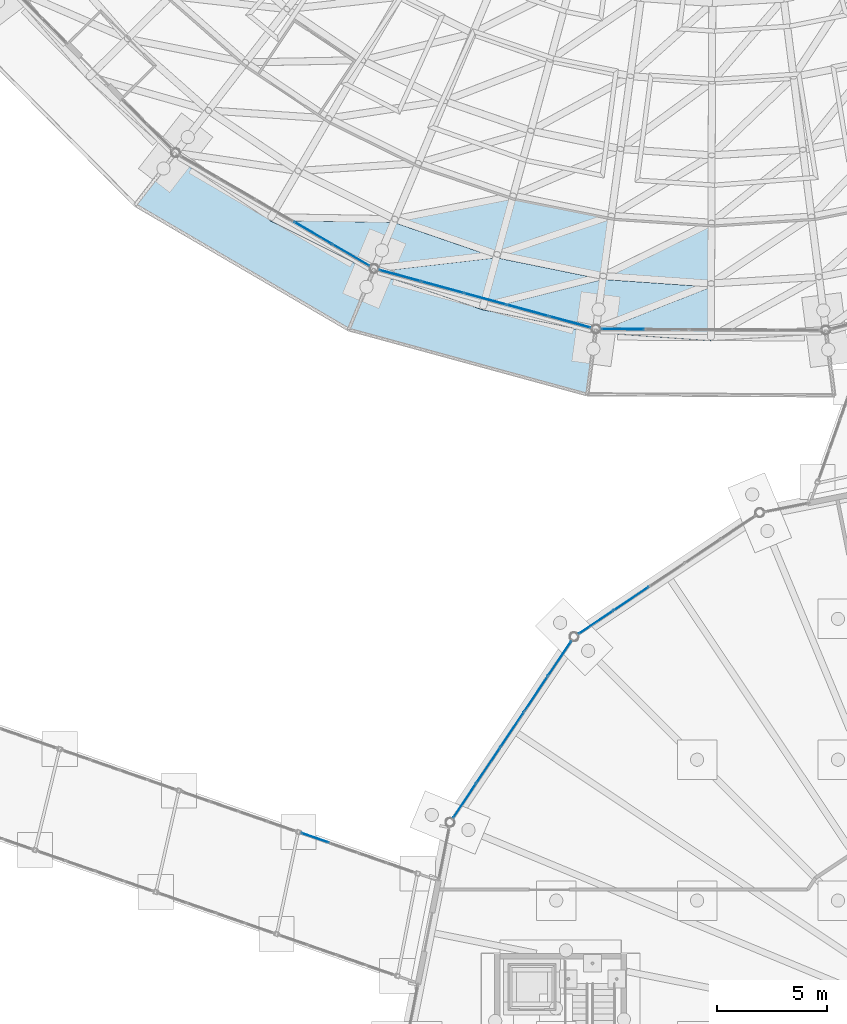
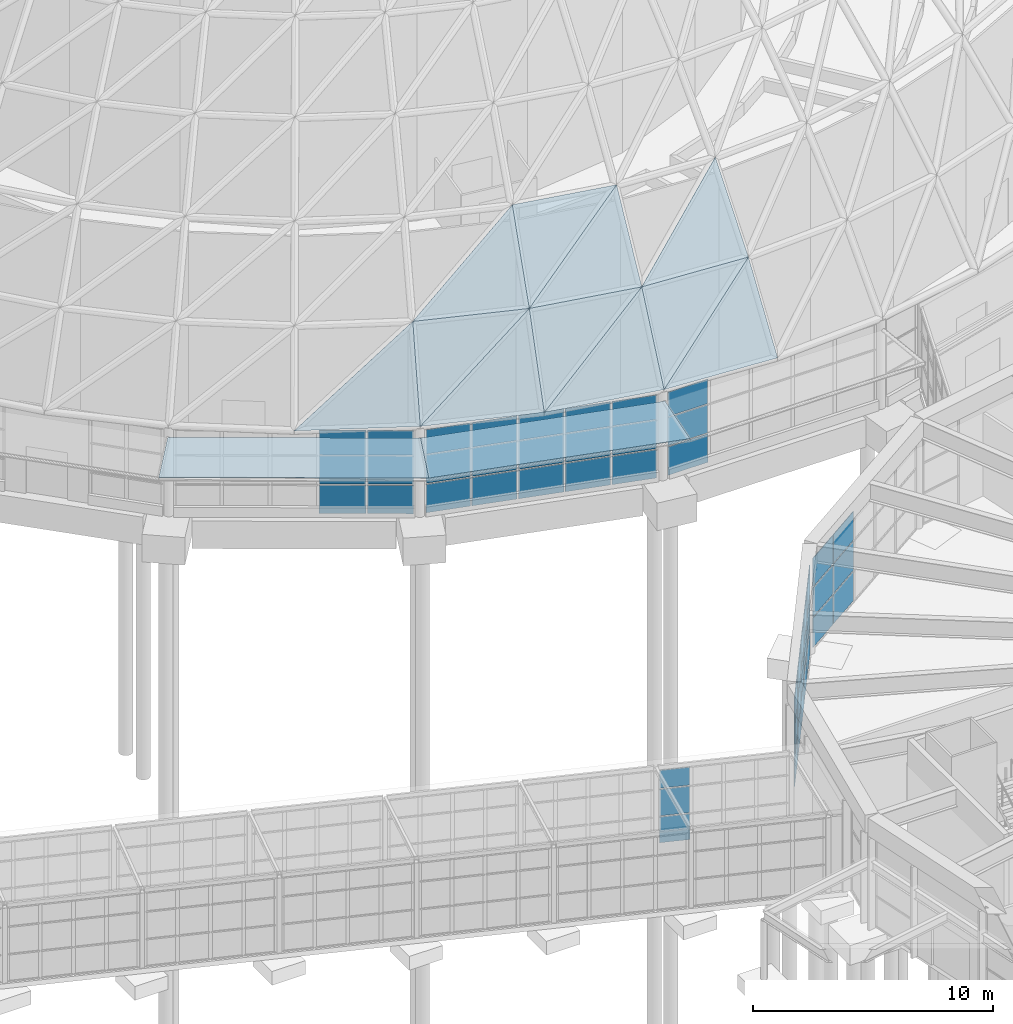
# One storey, part 127 of 226: 61 plates, 6 elements without a shape of their own.
"""IFC4 building model written with IfcOpenShell, lengths in metres."""

from ifc_helpers import new_model, si_unit, direction, frame, origin, origin_2d, place, context, subcontext, project, spatial, polyline, rectangle, outline, extrude, material, layer, layer_set, type_object, element, aggregate, save


model = new_model("IFC4")

# Units and contexts
model_context = context("Model", 3, precision=1e-05, world=origin(), true_north=direction((0.0, 1.0)))
body_context = subcontext(model_context, "Body", "Model", "MODEL_VIEW")
ifc_project = project(units=[si_unit("LENGTHUNIT", "METRE"), si_unit("AREAUNIT", "SQUARE_METRE"), si_unit("VOLUMEUNIT", "CUBIC_METRE"), si_unit("PLANEANGLEUNIT", "RADIAN"), si_unit("MASSUNIT", "GRAM", prefix="KILO")], contexts=[model_context])

# Site, building, storey
site_placement = place(None, origin())
site = spatial("IfcSite", under=ifc_project, at=site_placement, CompositionType="ELEMENT")
building_placement = place(site_placement, origin())
building = spatial("IfcBuilding", under=site, at=building_placement, Name="Ceibo Conservatory and Research Tower", CompositionType="ELEMENT")
storey_placement = place(building_placement, origin())
storey = spatial("IfcBuildingStorey", under=building, at=storey_placement, Name="L00", CompositionType="ELEMENT", Elevation=0.0)

# Plates
ifc_material_1 = material(Name="Laminated glass", Category="glass")
ifc_layer_1 = layer(ifc_material_1, 0.02490234375)
ifc_layer_set_1 = layer_set([ifc_layer_1], Name="Laminated glass")
plate_type_1 = type_object("IfcPlateType", Name="Canopy glass 25", PredefinedType="SHEET", material=ifc_layer_set_1)
plate_1_placement = place(storey_placement, frame((131.358154296875, 76.1748046875, 4.07275390625), z_axis=(0.023071974586, 0.039562540313, -0.998950694175), x_axis=(0.863831158397, -0.503781430565, -5.83234e-07)))
element("IfcPlate", 1, at=plate_1_placement, inside=storey, type_object=plate_type_1, Name="Brim canopy plate A-CP16", PredefinedType="SHEET", context=body_context, shape_type="SweptSolid", body=[
    extrude(outline(polyline([(0.0, 0.0), (10.507447212987021, 0.0), (10.866316717849386, 2.7292034430531147), (-0.3588374432735302, 2.729480202590164), (0.0, 0.0)])), origin(), (0.0, 0.0, 1.0), 0.02490234375),
])
plate_2_placement = place(storey_placement, frame((140.434814453125, 70.88134765625, 4.07275390625), z_axis=(0.012046679541, 0.044187451057, -0.998950622744), x_axis=(0.964790086487, -0.263021080936, 2.86156e-07)))
element("IfcPlate", 2, at=plate_2_placement, inside=storey, type_object=plate_type_1, Name="Brim canopy plate A-CP17", PredefinedType="SHEET", context=body_context, shape_type="SweptSolid", body=[
    extrude(outline(polyline([(0.0, 0.0), (10.507416356783754, 0.0), (10.866318211382298, 2.7293168693180676), (-0.35903950087202957, 2.7291810844894977), (0.0, 0.0)])), origin(), (0.0, 0.0, 1.0), 0.02490234375),
])

# Curtain wall, plates
ifc_material_2 = material(Name="Aluminium and glass", Category="aluminium")
curtain_wall_type_1 = type_object("IfcCurtainWallType", Name="Drum curtain wall", PredefinedType="NOTDEFINED", material=ifc_material_2)
curtain_wall_1_placement = place(storey_placement, origin())
curtain_wall_1 = element("IfcCurtainWall", 3, at=curtain_wall_1_placement, inside=storey, type_object=curtain_wall_type_1, Name="Drum curtain wall A-CW16", PredefinedType="NOTDEFINED")
ifc_layer_2 = layer(ifc_material_1, 0.028076171875)
ifc_layer_set_2 = layer_set([ifc_layer_2], Name="Laminated glass")
plate_type_2 = type_object("IfcPlateType", Name="Drum glass 28", PredefinedType="CURTAIN_PANEL", material=ifc_layer_set_2)
plate_3_placement = place(storey_placement, frame((137.75537109375, 72.73095703125, 0.06005859375), z_axis=(0.0, 0.0, 1.0), x_axis=(0.863835508167, -0.503773971965, 0.0)))
plate_3 = element("IfcPlate", 4, at=plate_3_placement, type_object=plate_type_2, Name="A-CW16 panel 4.1", PredefinedType="CURTAIN_PANEL", context=body_context, shape_type="SweptSolid", body=[
    extrude(rectangle(XDim=1.947021484375, YDim=0.028076171875, at=origin_2d()), origin(), (0.0, 0.0, 1.0), 1.43994140625),
])
plate_4_placement = place(storey_placement, frame((137.75537109375, 72.73095703125, 1.56005859375), z_axis=(0.0, 0.0, 1.0), x_axis=(0.863835508167, -0.503773971965, 0.0)))
plate_4 = element("IfcPlate", 5, at=plate_4_placement, type_object=plate_type_2, Name="A-CW16 panel 4.2", PredefinedType="CURTAIN_PANEL", context=body_context, shape_type="SweptSolid", body=[
    extrude(rectangle(XDim=1.947021484375, YDim=0.028076171875, at=origin_2d()), origin(), (0.0, 0.0, 1.0), 1.425048828125),
])
plate_5_placement = place(storey_placement, frame((137.75537109375, 72.73095703125, 3.044921875), z_axis=(0.0, 0.0, 1.0), x_axis=(0.863835508167, -0.503773971965, 0.0)))
plate_5 = element("IfcPlate", 6, at=plate_5_placement, type_object=plate_type_2, Name="A-CW16 panel 4.3", PredefinedType="CURTAIN_PANEL", context=body_context, shape_type="SweptSolid", body=[
    extrude(rectangle(XDim=1.947021484375, YDim=0.028076171875, at=origin_2d()), origin(), (0.0, 0.0, 1.0), 1.233154296875),
])
plate_6_placement = place(storey_placement, frame((139.47607421875, 71.7275390625, 0.06005859375), z_axis=(0.0, 0.0, 1.0), x_axis=(0.863835508167, -0.503773971965, 0.0)))
plate_6 = element("IfcPlate", 7, at=plate_6_placement, type_object=plate_type_2, Name="A-CW16 panel 5.1", PredefinedType="CURTAIN_PANEL", context=body_context, shape_type="SweptSolid", body=[
    extrude(rectangle(XDim=1.917236328125, YDim=0.028076171875, at=origin_2d()), origin(), (0.0, 0.0, 1.0), 1.43994140625),
])
plate_7_placement = place(storey_placement, frame((139.47607421875, 71.7275390625, 1.56005859375), z_axis=(0.0, 0.0, 1.0), x_axis=(0.863835508167, -0.503773971965, 0.0)))
plate_7 = element("IfcPlate", 8, at=plate_7_placement, type_object=plate_type_2, Name="A-CW16 panel 5.2", PredefinedType="CURTAIN_PANEL", context=body_context, shape_type="SweptSolid", body=[
    extrude(rectangle(XDim=1.917236328125, YDim=0.028076171875, at=origin_2d()), origin(), (0.0, 0.0, 1.0), 1.425048828125),
])
plate_8_placement = place(storey_placement, frame((139.47607421875, 71.7275390625, 3.044921875), z_axis=(0.0, 0.0, 1.0), x_axis=(0.863835508167, -0.503773971965, 0.0)))
plate_8 = element("IfcPlate", 9, at=plate_8_placement, type_object=plate_type_2, Name="A-CW16 panel 5.3", PredefinedType="CURTAIN_PANEL", context=body_context, shape_type="SweptSolid", body=[
    extrude(rectangle(XDim=1.917236328125, YDim=0.028076171875, at=origin_2d()), origin(), (0.0, 0.0, 1.0), 1.233154296875),
])
aggregate(curtain_wall_1, [plate_3, plate_4, plate_5, plate_6, plate_7, plate_8])

curtain_wall_2_placement = place(storey_placement, origin())
curtain_wall_2 = element("IfcCurtainWall", 10, at=curtain_wall_2_placement, inside=storey, type_object=curtain_wall_type_1, Name="Drum curtain wall A-CW17", PredefinedType="NOTDEFINED")
plate_9_placement = place(storey_placement, frame((141.710205078125, 70.79052734375, 0.06005859375), z_axis=(0.0, 0.0, 1.0), x_axis=(0.964787322837, -0.263031218095, 0.0)))
plate_9 = element("IfcPlate", 11, at=plate_9_placement, type_object=plate_type_2, Name="A-CW17 panel 1.1", PredefinedType="CURTAIN_PANEL", context=body_context, shape_type="SweptSolid", body=[
    extrude(rectangle(XDim=1.917236328125, YDim=0.028076171875, at=origin_2d()), origin(), (0.0, 0.0, 1.0), 1.43994140625),
])
plate_10_placement = place(storey_placement, frame((141.710205078125, 70.79052734375, 1.56005859375), z_axis=(0.0, 0.0, 1.0), x_axis=(0.964787322837, -0.263031218095, 0.0)))
plate_10 = element("IfcPlate", 12, at=plate_10_placement, type_object=plate_type_2, Name="A-CW17 panel 1.2", PredefinedType="CURTAIN_PANEL", context=body_context, shape_type="SweptSolid", body=[
    extrude(rectangle(XDim=1.917236328125, YDim=0.028076171875, at=origin_2d()), origin(), (0.0, 0.0, 1.0), 1.425048828125),
])
plate_11_placement = place(storey_placement, frame((141.710205078125, 70.79052734375, 3.044921875), z_axis=(0.0, 0.0, 1.0), x_axis=(0.964787322837, -0.263031218095, 0.0)))
plate_11 = element("IfcPlate", 13, at=plate_11_placement, type_object=plate_type_2, Name="A-CW17 panel 1.3", PredefinedType="CURTAIN_PANEL", context=body_context, shape_type="SweptSolid", body=[
    extrude(rectangle(XDim=1.917236328125, YDim=0.028076171875, at=origin_2d()), origin(), (0.0, 0.0, 1.0), 1.233154296875),
])
plate_12_placement = place(storey_placement, frame((143.63232421875, 70.2666015625, 0.06005859375), z_axis=(0.0, 0.0, 1.0), x_axis=(0.964787322837, -0.263031218095, 0.0)))
plate_12 = element("IfcPlate", 14, at=plate_12_placement, type_object=plate_type_2, Name="A-CW17 panel 2.1", PredefinedType="CURTAIN_PANEL", context=body_context, shape_type="SweptSolid", body=[
    extrude(rectangle(XDim=1.947021484375, YDim=0.028076171875, at=origin_2d()), origin(), (0.0, 0.0, 1.0), 1.43994140625),
])
plate_13_placement = place(storey_placement, frame((143.63232421875, 70.2666015625, 1.56005859375), z_axis=(0.0, 0.0, 1.0), x_axis=(0.964787322837, -0.263031218095, 0.0)))
plate_13 = element("IfcPlate", 15, at=plate_13_placement, type_object=plate_type_2, Name="A-CW17 panel 2.2", PredefinedType="CURTAIN_PANEL", context=body_context, shape_type="SweptSolid", body=[
    extrude(rectangle(XDim=1.947021484375, YDim=0.028076171875, at=origin_2d()), origin(), (0.0, 0.0, 1.0), 1.425048828125),
])
plate_14_placement = place(storey_placement, frame((143.63232421875, 70.2666015625, 3.044921875), z_axis=(0.0, 0.0, 1.0), x_axis=(0.964787322837, -0.263031218095, 0.0)))
plate_14 = element("IfcPlate", 16, at=plate_14_placement, type_object=plate_type_2, Name="A-CW17 panel 2.3", PredefinedType="CURTAIN_PANEL", context=body_context, shape_type="SweptSolid", body=[
    extrude(rectangle(XDim=1.947021484375, YDim=0.028076171875, at=origin_2d()), origin(), (0.0, 0.0, 1.0), 1.233154296875),
])
plate_15_placement = place(storey_placement, frame((145.56884765625, 69.73876953125, 0.06005859375), z_axis=(0.0, 0.0, 1.0), x_axis=(0.964787322837, -0.263031218095, 0.0)))
plate_15 = element("IfcPlate", 17, at=plate_15_placement, type_object=plate_type_2, Name="A-CW17 panel 3.1", PredefinedType="CURTAIN_PANEL", context=body_context, shape_type="SweptSolid", body=[
    extrude(rectangle(XDim=1.947021484375, YDim=0.028076171875, at=origin_2d()), origin(), (0.0, 0.0, 1.0), 1.43994140625),
])
plate_16_placement = place(storey_placement, frame((145.56884765625, 69.73876953125, 1.56005859375), z_axis=(0.0, 0.0, 1.0), x_axis=(0.964787322837, -0.263031218095, 0.0)))
plate_16 = element("IfcPlate", 18, at=plate_16_placement, type_object=plate_type_2, Name="A-CW17 panel 3.2", PredefinedType="CURTAIN_PANEL", context=body_context, shape_type="SweptSolid", body=[
    extrude(rectangle(XDim=1.947021484375, YDim=0.028076171875, at=origin_2d()), origin(), (0.0, 0.0, 1.0), 1.425048828125),
])
plate_17_placement = place(storey_placement, frame((145.56884765625, 69.73876953125, 3.044921875), z_axis=(0.0, 0.0, 1.0), x_axis=(0.964787322837, -0.263031218095, 0.0)))
plate_17 = element("IfcPlate", 19, at=plate_17_placement, type_object=plate_type_2, Name="A-CW17 panel 3.3", PredefinedType="CURTAIN_PANEL", context=body_context, shape_type="SweptSolid", body=[
    extrude(rectangle(XDim=1.947021484375, YDim=0.028076171875, at=origin_2d()), origin(), (0.0, 0.0, 1.0), 1.233154296875),
])
plate_18_placement = place(storey_placement, frame((147.505126953125, 69.210693359375, 0.06005859375), z_axis=(0.0, 0.0, 1.0), x_axis=(0.964787322837, -0.263031218095, 0.0)))
plate_18 = element("IfcPlate", 20, at=plate_18_placement, type_object=plate_type_2, Name="A-CW17 panel 4.1", PredefinedType="CURTAIN_PANEL", context=body_context, shape_type="SweptSolid", body=[
    extrude(rectangle(XDim=1.947021484375, YDim=0.028076171875, at=origin_2d()), origin(), (0.0, 0.0, 1.0), 1.43994140625),
])
plate_19_placement = place(storey_placement, frame((147.505126953125, 69.210693359375, 1.56005859375), z_axis=(0.0, 0.0, 1.0), x_axis=(0.964787322837, -0.263031218095, 0.0)))
plate_19 = element("IfcPlate", 21, at=plate_19_placement, type_object=plate_type_2, Name="A-CW17 panel 4.2", PredefinedType="CURTAIN_PANEL", context=body_context, shape_type="SweptSolid", body=[
    extrude(rectangle(XDim=1.947021484375, YDim=0.028076171875, at=origin_2d()), origin(), (0.0, 0.0, 1.0), 1.425048828125),
])
plate_20_placement = place(storey_placement, frame((147.505126953125, 69.210693359375, 3.044921875), z_axis=(0.0, 0.0, 1.0), x_axis=(0.964787322837, -0.263031218095, 0.0)))
plate_20 = element("IfcPlate", 22, at=plate_20_placement, type_object=plate_type_2, Name="A-CW17 panel 4.3", PredefinedType="CURTAIN_PANEL", context=body_context, shape_type="SweptSolid", body=[
    extrude(rectangle(XDim=1.947021484375, YDim=0.028076171875, at=origin_2d()), origin(), (0.0, 0.0, 1.0), 1.233154296875),
])
plate_21_placement = place(storey_placement, frame((149.42724609375, 68.686767578125, 0.06005859375), z_axis=(0.0, 0.0, 1.0), x_axis=(0.964787322837, -0.263031218095, 0.0)))
plate_21 = element("IfcPlate", 23, at=plate_21_placement, type_object=plate_type_2, Name="A-CW17 panel 5.1", PredefinedType="CURTAIN_PANEL", context=body_context, shape_type="SweptSolid", body=[
    extrude(rectangle(XDim=1.917236328125, YDim=0.028076171875, at=origin_2d()), origin(), (0.0, 0.0, 1.0), 1.43994140625),
])
plate_22_placement = place(storey_placement, frame((149.42724609375, 68.686767578125, 1.56005859375), z_axis=(0.0, 0.0, 1.0), x_axis=(0.964787322837, -0.263031218095, 0.0)))
plate_22 = element("IfcPlate", 24, at=plate_22_placement, type_object=plate_type_2, Name="A-CW17 panel 5.2", PredefinedType="CURTAIN_PANEL", context=body_context, shape_type="SweptSolid", body=[
    extrude(rectangle(XDim=1.917236328125, YDim=0.028076171875, at=origin_2d()), origin(), (0.0, 0.0, 1.0), 1.425048828125),
])
plate_23_placement = place(storey_placement, frame((149.42724609375, 68.686767578125, 3.044921875), z_axis=(0.0, 0.0, 1.0), x_axis=(0.964787322837, -0.263031218095, 0.0)))
plate_23 = element("IfcPlate", 25, at=plate_23_placement, type_object=plate_type_2, Name="A-CW17 panel 5.3", PredefinedType="CURTAIN_PANEL", context=body_context, shape_type="SweptSolid", body=[
    extrude(rectangle(XDim=1.917236328125, YDim=0.028076171875, at=origin_2d()), origin(), (0.0, 0.0, 1.0), 1.233154296875),
])
aggregate(curtain_wall_2, [plate_9, plate_10, plate_11, plate_12, plate_13, plate_14, plate_15, plate_16, plate_17, plate_18, plate_19, plate_20, plate_21, plate_22, plate_23])

curtain_wall_3_placement = place(storey_placement, origin())
curtain_wall_3 = element("IfcCurtainWall", 26, at=curtain_wall_3_placement, inside=storey, type_object=curtain_wall_type_1, Name="Drum curtain wall A-CW18", PredefinedType="NOTDEFINED")
plate_24_placement = place(storey_placement, frame((151.82763671875, 68.360107421875, 0.06005859375), z_axis=(0.0, 0.0, 1.0), x_axis=(0.999990480759, -0.004363300488, 0.0)))
plate_24 = element("IfcPlate", 27, at=plate_24_placement, type_object=plate_type_2, Name="A-CW18 panel 1.1", PredefinedType="CURTAIN_PANEL", context=body_context, shape_type="SweptSolid", body=[
    extrude(rectangle(XDim=1.917236328125, YDim=0.028076171875, at=origin_2d()), origin(), (0.0, 0.0, 1.0), 1.43994140625),
])
plate_25_placement = place(storey_placement, frame((151.82763671875, 68.360107421875, 1.56005859375), z_axis=(0.0, 0.0, 1.0), x_axis=(0.999990480759, -0.004363300488, 0.0)))
plate_25 = element("IfcPlate", 28, at=plate_25_placement, type_object=plate_type_2, Name="A-CW18 panel 1.2", PredefinedType="CURTAIN_PANEL", context=body_context, shape_type="SweptSolid", body=[
    extrude(rectangle(XDim=1.917236328125, YDim=0.028076171875, at=origin_2d()), origin(), (0.0, 0.0, 1.0), 1.425048828125),
])
plate_26_placement = place(storey_placement, frame((151.82763671875, 68.360107421875, 3.044921875), z_axis=(0.0, 0.0, 1.0), x_axis=(0.999990480759, -0.004363300488, 0.0)))
plate_26 = element("IfcPlate", 29, at=plate_26_placement, type_object=plate_type_2, Name="A-CW18 panel 1.3", PredefinedType="CURTAIN_PANEL", context=body_context, shape_type="SweptSolid", body=[
    extrude(rectangle(XDim=1.917236328125, YDim=0.028076171875, at=origin_2d()), origin(), (0.0, 0.0, 1.0), 1.233154296875),
])
aggregate(curtain_wall_3, [plate_24, plate_25, plate_26])

curtain_wall_type_2 = type_object("IfcCurtainWallType", Name="Gallery curtain wall", PredefinedType="NOTDEFINED", material=ifc_material_2)
curtain_wall_4_placement = place(storey_placement, origin())
curtain_wall_4 = element("IfcCurtainWall", 30, at=curtain_wall_4_placement, inside=storey, type_object=curtain_wall_type_2, Name="Gallery curtain wall AUD-VC-CWN14", PredefinedType="NOTDEFINED")
ifc_layer_3 = layer(ifc_material_1, 0.028076171875)
ifc_layer_set_3 = layer_set([ifc_layer_3], Name="Laminated glass")
plate_type_3 = type_object("IfcPlateType", Name="Gallery glass 28", PredefinedType="CURTAIN_PANEL", material=ifc_layer_set_3)
plate_27_placement = place(storey_placement, frame((137.849853515625, 45.2490234375, 0.06005859375), z_axis=(0.0, 0.0, 1.0), x_axis=(0.944579236191, -0.328283515513, 0.0)))
plate_27 = element("IfcPlate", 31, at=plate_27_placement, type_object=plate_type_3, Name="AUD-VC-CWN14 panel 1.1", PredefinedType="CURTAIN_PANEL", context=body_context, shape_type="SweptSolid", body=[
    extrude(rectangle(XDim=1.294677734375, YDim=0.028076171875, at=origin_2d()), origin(), (0.0, 0.0, 1.0), 1.31005859375),
])
plate_28_placement = place(storey_placement, frame((137.849853515625, 45.2490234375, 1.43017578125), z_axis=(0.0, 0.0, 1.0), x_axis=(0.944579236191, -0.328283515513, 0.0)))
plate_28 = element("IfcPlate", 32, at=plate_28_placement, type_object=plate_type_3, Name="AUD-VC-CWN14 panel 1.2", PredefinedType="CURTAIN_PANEL", context=body_context, shape_type="SweptSolid", body=[
    extrude(rectangle(XDim=1.294677734375, YDim=0.028076171875, at=origin_2d()), origin(), (0.0, 0.0, 1.0), 1.340087890625),
])
plate_29_placement = place(storey_placement, frame((137.849853515625, 45.2490234375, 2.830078125), z_axis=(0.0, 0.0, 1.0), x_axis=(0.944579236191, -0.328283515513, 0.0)))
plate_29 = element("IfcPlate", 33, at=plate_29_placement, type_object=plate_type_3, Name="AUD-VC-CWN14 panel 1.3", PredefinedType="CURTAIN_PANEL", context=body_context, shape_type="SweptSolid", body=[
    extrude(rectangle(XDim=1.294677734375, YDim=0.028076171875, at=origin_2d()), origin(), (0.0, 0.0, 1.0), 0.909912109375),
])
aggregate(curtain_wall_4, [plate_27, plate_28, plate_29])

# Plates
ifc_layer_4 = layer(ifc_material_1, 0.035888671875)
ifc_layer_set_4 = layer_set([ifc_layer_4], Name="Laminated glass")
plate_type_4 = type_object("IfcPlateType", Name="Gridshell roof glass 36", PredefinedType="SHEET", material=ifc_layer_set_4)
plate_30_placement = place(storey_placement, frame((135.7646484375, 73.30224609375, 4.601806640625), z_axis=(-0.370360284257, -0.742802977442, 0.557742769158), x_axis=(0.894928404909, -0.446209760188, 0.0)))
element("IfcPlate", 34, at=plate_30_placement, inside=storey, type_object=plate_type_4, Name="Glass panel A-P01-063", PredefinedType="SHEET", context=body_context, shape_type="SweptSolid", body=[
    extrude(outline(polyline([(0.0, 0.0), (5.254763054736992, 0.0), (5.0939444908646445, 4.374750473519363), (0.0, 0.0)])), origin(), (0.0, 0.0, -1.0), 0.035888671875),
])
plate_31_placement = place(storey_placement, frame((140.46728515625, 70.95751953125, 4.601806640625), z_axis=(-0.270165608921, -0.784884324718, 0.557644277804), x_axis=(0.94555259073, -0.325469350574, 0.0)))
element("IfcPlate", 35, at=plate_31_placement, inside=storey, type_object=plate_type_4, Name="Glass panel A-P01-065", PredefinedType="SHEET", context=body_context, shape_type="SweptSolid", body=[
    extrude(outline(polyline([(0.0, 0.0), (5.253830919824738, -2.220446049250313e-16), (5.093756462527101, 4.374401715363801), (0.0, 0.0)])), origin(), (0.0, 0.0, -1.0), 0.035888671875),
])
plate_32_placement = place(storey_placement, frame((140.46728515625, 70.95751953125, 4.601806640625), z_axis=(-0.270254920895, -0.784770025573, 0.557761853029), x_axis=(0.835583231624, 0.096612038574, 0.540801975802)))
element("IfcPlate", 36, at=plate_32_placement, inside=storey, type_object=plate_type_4, Name="Glass panel A-P01-066", PredefinedType="SHEET", context=body_context, shape_type="SweptSolid", body=[
    extrude(outline(polyline([(0.0, 0.0), (6.714294100418478, 0.0), (2.9710832287201656, 3.215115668846396), (0.0, 0.0)])), origin(), (0.0, 0.0, -1.0), 0.035888671875),
])
plate_33_placement = place(storey_placement, frame((145.43505859375, 69.24755859375, 4.601806640625), z_axis=(-0.165646457928, -0.813306753153, 0.557757452887), x_axis=(0.979882943643, -0.199573086255, 0.0)))
element("IfcPlate", 37, at=plate_33_placement, inside=storey, type_object=plate_type_4, Name="Glass panel A-P01-067", PredefinedType="SHEET", context=body_context, shape_type="SweptSolid", body=[
    extrude(outline(polyline([(0.0, 0.0), (5.254135234621774, 1.1102230246251565e-16), (5.093270783912031, 4.374802481067212), (0.0, 0.0)])), origin(), (0.0, 0.0, -1.0), 0.035888671875),
])
plate_34_placement = place(storey_placement, frame((145.43505859375, 69.24755859375, 4.601806640625), z_axis=(-0.165554373377, -0.8133972624, 0.557652797874), x_axis=(0.815852073838, 0.204717527999, 0.540810620591)))
element("IfcPlate", 38, at=plate_34_placement, inside=storey, type_object=plate_type_4, Name="Glass panel A-P01-068", PredefinedType="SHEET", context=body_context, shape_type="SweptSolid", body=[
    extrude(outline(polyline([(0.0, 0.0), (6.714186773288608, 0.0), (2.97084351962559, 3.2148254977767503), (0.0, 0.0)])), origin(), (0.0, 0.0, -1.0), 0.035888671875),
])
plate_35_placement = place(storey_placement, frame((150.58349609375, 68.198974609375, 4.601806640625), z_axis=(-0.057895948918, -0.827977641225, 0.557764363088), x_axis=(0.997564208537, -0.06975421024, 0.0)))
element("IfcPlate", 39, at=plate_35_placement, inside=storey, type_object=plate_type_4, Name="Glass panel A-P01-069", PredefinedType="SHEET", context=body_context, shape_type="SweptSolid", body=[
    extrude(outline(polyline([(0.0, 0.0), (5.253519133306327, 5.551115123125783e-17), (5.093907858799342, 4.374826957068864), (0.0, 0.0)])), origin(), (0.0, 0.0, -1.0), 0.035888671875),
])
plate_36_placement = place(storey_placement, frame((150.58349609375, 68.198974609375, 4.601806640625), z_axis=(-0.057903032785, -0.827972302841, 0.557771552271), x_axis=(0.782122794509, 0.309598605144, 0.540770411545)))
element("IfcPlate", 40, at=plate_36_placement, inside=storey, type_object=plate_type_4, Name="Glass panel A-P01-070", PredefinedType="SHEET", context=body_context, shape_type="SweptSolid", body=[
    extrude(outline(polyline([(0.0, 0.0), (6.714686007419417, 0.0), (2.971369174010535, 3.214924470589305), (0.0, 0.0)])), origin(), (0.0, 0.0, -1.0), 0.035888671875),
])
plate_37_placement = place(storey_placement, frame((141.412109375, 73.212890625, 8.23291015625), z_axis=(-0.25220366906, -0.732352547598, 0.632497474571), x_axis=(0.945504877792, -0.325607933059, 0.0)))
element("IfcPlate", 41, at=plate_37_placement, inside=storey, type_object=plate_type_4, Name="Glass panel A-P02-065", PredefinedType="SHEET", context=body_context, shape_type="SweptSolid", body=[
    extrude(outline(polyline([(0.0, 0.0), (4.934429692888738, -1.1102230246251565e-16), (4.752927804793788, 4.373058823436186), (0.0, 0.0)])), origin(), (0.0, 0.0, -1.0), 0.035888671875),
])
plate_38_placement = place(storey_placement, frame((146.07763671875, 71.606201171875, 8.23291015625), z_axis=(-0.154479522799, -0.758984606559, 0.632517544454), x_axis=(0.979908972521, -0.199445244546, 0.0)))
element("IfcPlate", 42, at=plate_38_placement, inside=storey, type_object=plate_type_4, Name="Glass panel A-P02-067", PredefinedType="SHEET", context=body_context, shape_type="SweptSolid", body=[
    extrude(outline(polyline([(0.0, 0.0), (4.934341059949136, 1.1102230246251565e-16), (4.753535728578331, 4.373151356466386), (0.0, 0.0)])), origin(), (0.0, 0.0, -1.0), 0.035888671875),
])
plate_39_placement = place(storey_placement, frame((146.07763671875, 71.606201171875, 8.23291015625), z_axis=(-0.154463540108, -0.759001165089, 0.632501577998), x_axis=(0.806564454082, 0.272861370918, 0.524404856644)))
element("IfcPlate", 43, at=plate_39_placement, inside=storey, type_object=plate_type_4, Name="Glass panel A-P02-068", PredefinedType="SHEET", context=body_context, shape_type="SweptSolid", body=[
    extrude(outline(polyline([(0.0, 0.0), (6.459145044774464, 0.0), (3.093974096193284, 3.095789188672262), (0.0, 0.0)])), origin(), (0.0, 0.0, -1.0), 0.035888671875),
])
plate_40_placement = place(storey_placement, frame((150.912841796875, 70.6220703125, 8.23291015625), z_axis=(-0.054038769313, -0.772716075803, 0.632447371413), x_axis=(0.997563583311, -0.0697631511, 0.0)))
element("IfcPlate", 44, at=plate_40_placement, inside=storey, type_object=plate_type_4, Name="Glass panel A-P02-069", PredefinedType="SHEET", context=body_context, shape_type="SweptSolid", body=[
    extrude(outline(polyline([(0.0, 0.0), (4.93438550043227, 2.7755575615628914e-17), (4.753215307044493, 4.372827859184301), (0.0, 0.0)])), origin(), (0.0, 0.0, -1.0), 0.035888671875),
])

# Curtain wall, plates
curtain_wall_type_3 = type_object("IfcCurtainWallType", Name="Pavilion curtain wall", PredefinedType="NOTDEFINED", material=ifc_material_2)
curtain_wall_5_placement = place(storey_placement, origin())
curtain_wall_5 = element("IfcCurtainWall", 45, at=curtain_wall_5_placement, inside=storey, type_object=curtain_wall_type_3, Name="Pavilion curtain wall VC-CW06", PredefinedType="NOTDEFINED")
ifc_layer_5 = layer(ifc_material_1, 0.028076171875)
ifc_layer_set_5 = layer_set([ifc_layer_5], Name="Laminated glass")
plate_type_5 = type_object("IfcPlateType", Name="Pavilion glass 28", PredefinedType="CURTAIN_PANEL", material=ifc_layer_set_5)
plate_41_placement = place(storey_placement, frame((152.21337890625, 56.120849609375, 0.06005859375), z_axis=(0.0, 0.0, 1.0), x_axis=(-0.831469588992, -0.555570267906, 0.0)))
plate_41 = element("IfcPlate", 46, at=plate_41_placement, type_object=plate_type_5, Name="VC-CW06 panel 4.1", PredefinedType="CURTAIN_PANEL", context=body_context, shape_type="SweptSolid", body=[
    extrude(rectangle(XDim=1.8876953125, YDim=0.028076171875, at=origin_2d()), origin(), (0.0, 0.0, 1.0), 1.490966796875),
])
plate_42_placement = place(storey_placement, frame((152.21337890625, 56.120849609375, 1.61083984375), z_axis=(0.0, 0.0, 1.0), x_axis=(-0.831469588992, -0.555570267906, 0.0)))
plate_42 = element("IfcPlate", 47, at=plate_42_placement, type_object=plate_type_5, Name="VC-CW06 panel 4.2", PredefinedType="CURTAIN_PANEL", context=body_context, shape_type="SweptSolid", body=[
    extrude(rectangle(XDim=1.8876953125, YDim=0.028076171875, at=origin_2d()), origin(), (0.0, 0.0, 1.0), 1.47412109375),
])
plate_43_placement = place(storey_placement, frame((152.21337890625, 56.120849609375, 3.14501953125), z_axis=(0.0, 0.0, 1.0), x_axis=(-0.831469588992, -0.555570267906, 0.0)))
plate_43 = element("IfcPlate", 48, at=plate_43_placement, type_object=plate_type_5, Name="VC-CW06 panel 4.3", PredefinedType="CURTAIN_PANEL", context=body_context, shape_type="SweptSolid", body=[
    extrude(rectangle(XDim=1.8876953125, YDim=0.028076171875, at=origin_2d()), origin(), (0.0, 0.0, 1.0), 1.444091796875),
])
plate_44_placement = place(storey_placement, frame((150.6064453125, 55.047119140625, 0.06005859375), z_axis=(0.0, 0.0, 1.0), x_axis=(-0.831469588992, -0.555570267906, 0.0)))
plate_44 = element("IfcPlate", 49, at=plate_44_placement, type_object=plate_type_5, Name="VC-CW06 panel 5.1", PredefinedType="CURTAIN_PANEL", context=body_context, shape_type="SweptSolid", body=[
    extrude(rectangle(XDim=1.857666015625, YDim=0.028076171875, at=origin_2d()), origin(), (0.0, 0.0, 1.0), 1.490966796875),
])
plate_45_placement = place(storey_placement, frame((150.6064453125, 55.047119140625, 1.61083984375), z_axis=(0.0, 0.0, 1.0), x_axis=(-0.831469588992, -0.555570267906, 0.0)))
plate_45 = element("IfcPlate", 50, at=plate_45_placement, type_object=plate_type_5, Name="VC-CW06 panel 5.2", PredefinedType="CURTAIN_PANEL", context=body_context, shape_type="SweptSolid", body=[
    extrude(rectangle(XDim=1.857666015625, YDim=0.028076171875, at=origin_2d()), origin(), (0.0, 0.0, 1.0), 1.47412109375),
])
plate_46_placement = place(storey_placement, frame((150.6064453125, 55.047119140625, 3.14501953125), z_axis=(0.0, 0.0, 1.0), x_axis=(-0.831469588992, -0.555570267906, 0.0)))
plate_46 = element("IfcPlate", 51, at=plate_46_placement, type_object=plate_type_5, Name="VC-CW06 panel 5.3", PredefinedType="CURTAIN_PANEL", context=body_context, shape_type="SweptSolid", body=[
    extrude(rectangle(XDim=1.857666015625, YDim=0.028076171875, at=origin_2d()), origin(), (0.0, 0.0, 1.0), 1.444091796875),
])
aggregate(curtain_wall_5, [plate_41, plate_42, plate_43, plate_44, plate_45, plate_46])

curtain_wall_6_placement = place(storey_placement, origin())
curtain_wall_6 = element("IfcCurtainWall", 52, at=curtain_wall_6_placement, inside=storey, type_object=curtain_wall_type_3, Name="Pavilion curtain wall VC-CW07", PredefinedType="NOTDEFINED")
plate_47_placement = place(storey_placement, frame((148.952880859375, 53.3935546875, 0.06005859375), z_axis=(0.0, 0.0, 1.0), x_axis=(-0.555570267906, -0.831469588992, 0.0)))
plate_47 = element("IfcPlate", 53, at=plate_47_placement, type_object=plate_type_5, Name="VC-CW07 panel 1.1", PredefinedType="CURTAIN_PANEL", context=body_context, shape_type="SweptSolid", body=[
    extrude(rectangle(XDim=1.857666015625, YDim=0.028076171875, at=origin_2d()), origin(), (0.0, 0.0, 1.0), 1.490966796875),
])
plate_48_placement = place(storey_placement, frame((148.952880859375, 53.3935546875, 1.61083984375), z_axis=(0.0, 0.0, 1.0), x_axis=(-0.555570267906, -0.831469588992, 0.0)))
plate_48 = element("IfcPlate", 54, at=plate_48_placement, type_object=plate_type_5, Name="VC-CW07 panel 1.2", PredefinedType="CURTAIN_PANEL", context=body_context, shape_type="SweptSolid", body=[
    extrude(rectangle(XDim=1.857666015625, YDim=0.028076171875, at=origin_2d()), origin(), (0.0, 0.0, 1.0), 1.47412109375),
])
plate_49_placement = place(storey_placement, frame((148.952880859375, 53.3935546875, 3.14501953125), z_axis=(0.0, 0.0, 1.0), x_axis=(-0.555570267906, -0.831469588992, 0.0)))
plate_49 = element("IfcPlate", 55, at=plate_49_placement, type_object=plate_type_5, Name="VC-CW07 panel 1.3", PredefinedType="CURTAIN_PANEL", context=body_context, shape_type="SweptSolid", body=[
    extrude(rectangle(XDim=1.857666015625, YDim=0.028076171875, at=origin_2d()), origin(), (0.0, 0.0, 1.0), 1.444091796875),
])
plate_50_placement = place(storey_placement, frame((147.879150390625, 51.78662109375, 0.06005859375), z_axis=(0.0, 0.0, 1.0), x_axis=(-0.555570267906, -0.831469588992, 0.0)))
plate_50 = element("IfcPlate", 56, at=plate_50_placement, type_object=plate_type_5, Name="VC-CW07 panel 2.1", PredefinedType="CURTAIN_PANEL", context=body_context, shape_type="SweptSolid", body=[
    extrude(rectangle(XDim=1.8876953125, YDim=0.028076171875, at=origin_2d()), origin(), (0.0, 0.0, 1.0), 1.490966796875),
])
plate_51_placement = place(storey_placement, frame((147.879150390625, 51.78662109375, 1.61083984375), z_axis=(0.0, 0.0, 1.0), x_axis=(-0.555570267906, -0.831469588992, 0.0)))
plate_51 = element("IfcPlate", 57, at=plate_51_placement, type_object=plate_type_5, Name="VC-CW07 panel 2.2", PredefinedType="CURTAIN_PANEL", context=body_context, shape_type="SweptSolid", body=[
    extrude(rectangle(XDim=1.8876953125, YDim=0.028076171875, at=origin_2d()), origin(), (0.0, 0.0, 1.0), 1.47412109375),
])
plate_52_placement = place(storey_placement, frame((147.879150390625, 51.78662109375, 3.14501953125), z_axis=(0.0, 0.0, 1.0), x_axis=(-0.555570267906, -0.831469588992, 0.0)))
plate_52 = element("IfcPlate", 58, at=plate_52_placement, type_object=plate_type_5, Name="VC-CW07 panel 2.3", PredefinedType="CURTAIN_PANEL", context=body_context, shape_type="SweptSolid", body=[
    extrude(rectangle(XDim=1.8876953125, YDim=0.028076171875, at=origin_2d()), origin(), (0.0, 0.0, 1.0), 1.444091796875),
])
plate_53_placement = place(storey_placement, frame((146.797119140625, 50.167236328125, 0.06005859375), z_axis=(0.0, 0.0, 1.0), x_axis=(-0.555570267906, -0.831469588992, 0.0)))
plate_53 = element("IfcPlate", 59, at=plate_53_placement, type_object=plate_type_5, Name="VC-CW07 panel 3.1", PredefinedType="CURTAIN_PANEL", context=body_context, shape_type="SweptSolid", body=[
    extrude(rectangle(XDim=1.8876953125, YDim=0.028076171875, at=origin_2d()), origin(), (0.0, 0.0, 1.0), 1.490966796875),
])
plate_54_placement = place(storey_placement, frame((146.797119140625, 50.167236328125, 1.61083984375), z_axis=(0.0, 0.0, 1.0), x_axis=(-0.555570267906, -0.831469588992, 0.0)))
plate_54 = element("IfcPlate", 60, at=plate_54_placement, type_object=plate_type_5, Name="VC-CW07 panel 3.2", PredefinedType="CURTAIN_PANEL", context=body_context, shape_type="SweptSolid", body=[
    extrude(rectangle(XDim=1.8876953125, YDim=0.028076171875, at=origin_2d()), origin(), (0.0, 0.0, 1.0), 1.47412109375),
])
plate_55_placement = place(storey_placement, frame((146.797119140625, 50.167236328125, 3.14501953125), z_axis=(0.0, 0.0, 1.0), x_axis=(-0.555570267906, -0.831469588992, 0.0)))
plate_55 = element("IfcPlate", 61, at=plate_55_placement, type_object=plate_type_5, Name="VC-CW07 panel 3.3", PredefinedType="CURTAIN_PANEL", context=body_context, shape_type="SweptSolid", body=[
    extrude(rectangle(XDim=1.8876953125, YDim=0.028076171875, at=origin_2d()), origin(), (0.0, 0.0, 1.0), 1.444091796875),
])
plate_56_placement = place(storey_placement, frame((145.715087890625, 48.5478515625, 0.06005859375), z_axis=(0.0, 0.0, 1.0), x_axis=(-0.555570267906, -0.831469588992, 0.0)))
plate_56 = element("IfcPlate", 62, at=plate_56_placement, type_object=plate_type_5, Name="VC-CW07 panel 4.1", PredefinedType="CURTAIN_PANEL", context=body_context, shape_type="SweptSolid", body=[
    extrude(rectangle(XDim=1.8876953125, YDim=0.028076171875, at=origin_2d()), origin(), (0.0, 0.0, 1.0), 1.490966796875),
])
plate_57_placement = place(storey_placement, frame((145.715087890625, 48.5478515625, 1.61083984375), z_axis=(0.0, 0.0, 1.0), x_axis=(-0.555570267906, -0.831469588992, 0.0)))
plate_57 = element("IfcPlate", 63, at=plate_57_placement, type_object=plate_type_5, Name="VC-CW07 panel 4.2", PredefinedType="CURTAIN_PANEL", context=body_context, shape_type="SweptSolid", body=[
    extrude(rectangle(XDim=1.8876953125, YDim=0.028076171875, at=origin_2d()), origin(), (0.0, 0.0, 1.0), 1.47412109375),
])
plate_58_placement = place(storey_placement, frame((145.715087890625, 48.5478515625, 3.14501953125), z_axis=(0.0, 0.0, 1.0), x_axis=(-0.555570267906, -0.831469588992, 0.0)))
plate_58 = element("IfcPlate", 64, at=plate_58_placement, type_object=plate_type_5, Name="VC-CW07 panel 4.3", PredefinedType="CURTAIN_PANEL", context=body_context, shape_type="SweptSolid", body=[
    extrude(rectangle(XDim=1.8876953125, YDim=0.028076171875, at=origin_2d()), origin(), (0.0, 0.0, 1.0), 1.444091796875),
])
plate_59_placement = place(storey_placement, frame((144.641357421875, 46.94091796875, 0.06005859375), z_axis=(0.0, 0.0, 1.0), x_axis=(-0.555570267906, -0.831469588992, 0.0)))
plate_59 = element("IfcPlate", 65, at=plate_59_placement, type_object=plate_type_5, Name="VC-CW07 panel 5.1", PredefinedType="CURTAIN_PANEL", context=body_context, shape_type="SweptSolid", body=[
    extrude(rectangle(XDim=1.857666015625, YDim=0.028076171875, at=origin_2d()), origin(), (0.0, 0.0, 1.0), 1.490966796875),
])
plate_60_placement = place(storey_placement, frame((144.641357421875, 46.94091796875, 1.61083984375), z_axis=(0.0, 0.0, 1.0), x_axis=(-0.555570267906, -0.831469588992, 0.0)))
plate_60 = element("IfcPlate", 66, at=plate_60_placement, type_object=plate_type_5, Name="VC-CW07 panel 5.2", PredefinedType="CURTAIN_PANEL", context=body_context, shape_type="SweptSolid", body=[
    extrude(rectangle(XDim=1.857666015625, YDim=0.028076171875, at=origin_2d()), origin(), (0.0, 0.0, 1.0), 1.47412109375),
])
plate_61_placement = place(storey_placement, frame((144.641357421875, 46.94091796875, 3.14501953125), z_axis=(0.0, 0.0, 1.0), x_axis=(-0.555570267906, -0.831469588992, 0.0)))
plate_61 = element("IfcPlate", 67, at=plate_61_placement, type_object=plate_type_5, Name="VC-CW07 panel 5.3", PredefinedType="CURTAIN_PANEL", context=body_context, shape_type="SweptSolid", body=[
    extrude(rectangle(XDim=1.857666015625, YDim=0.028076171875, at=origin_2d()), origin(), (0.0, 0.0, 1.0), 1.444091796875),
])
aggregate(curtain_wall_6, [plate_47, plate_48, plate_49, plate_50, plate_51, plate_52, plate_53, plate_54, plate_55, plate_56, plate_57, plate_58, plate_59, plate_60, plate_61])

save(model, "model.ifc")
